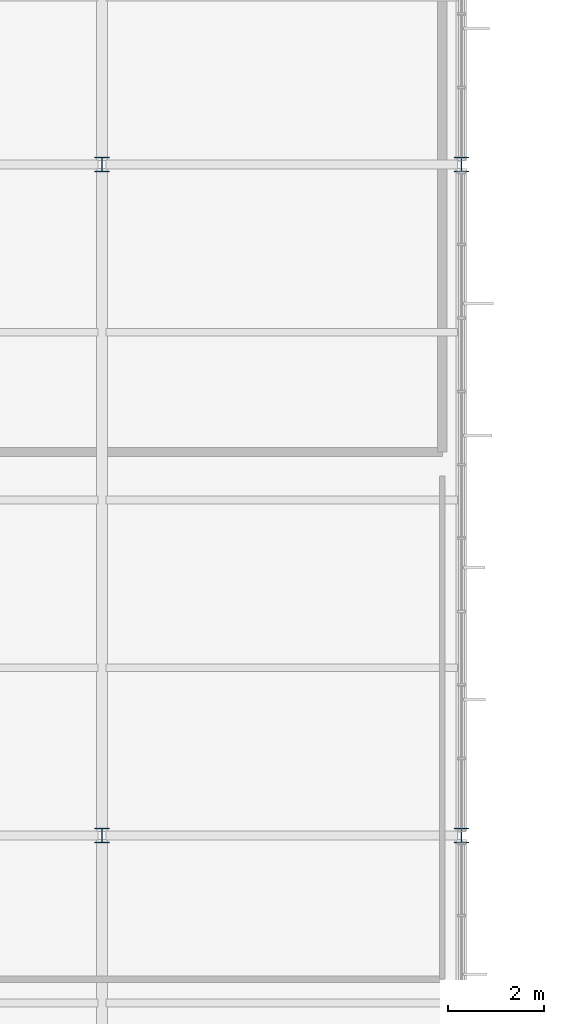
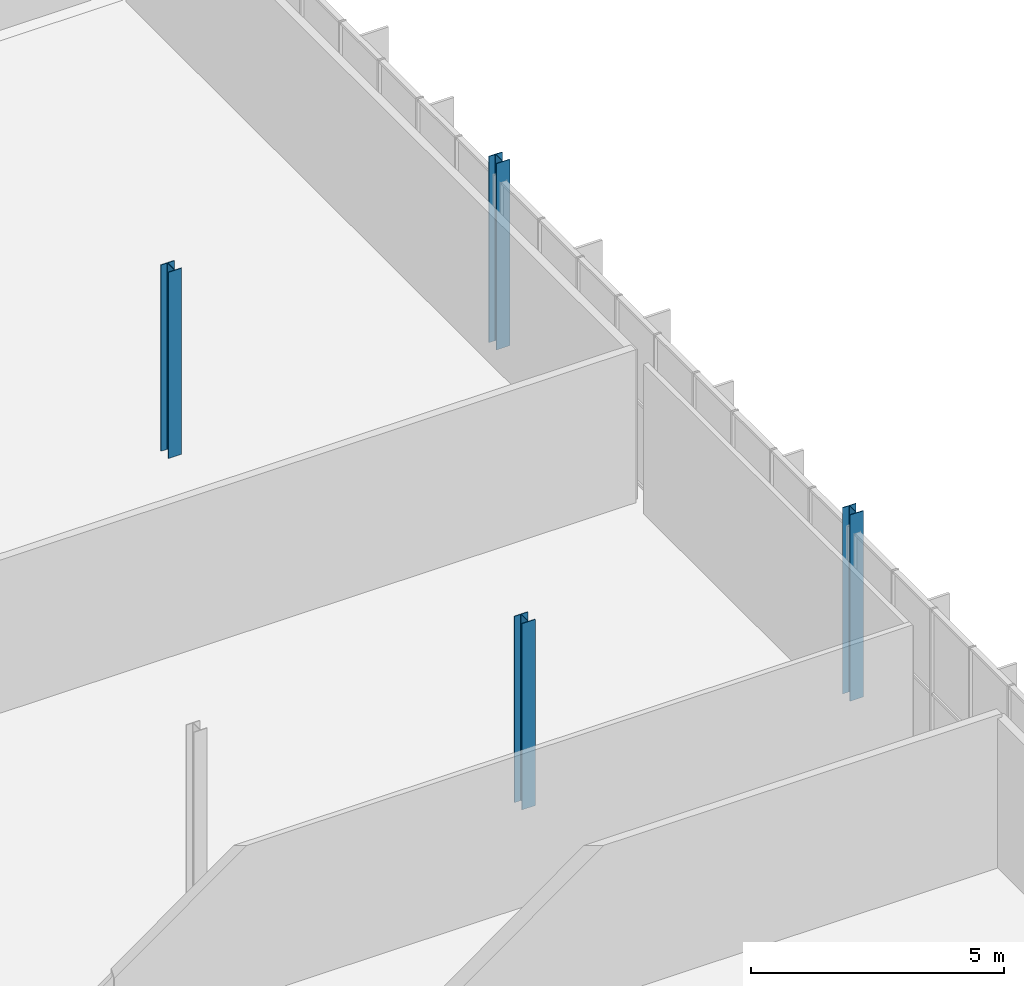
# One storey, part 4 of 324: 4 columns.
"""IFC4 building model written with IfcOpenShell, lengths in metres."""

from ifc_helpers import new_model, si_unit, direction, frame, origin, origin_2d, place, context, subcontext, project, spatial, i_section, extrude, material, material_profile, profile_set, type_object, element, save


model = new_model("IFC4")

# Units and contexts
model_context = context("Model", 3, precision=1e-05, world=origin(), true_north=direction((0.0, 1.0)))
body_context = subcontext(model_context, "Body", "Model", "MODEL_VIEW")
ifc_project = project(units=[si_unit("LENGTHUNIT", "METRE"), si_unit("AREAUNIT", "SQUARE_METRE"), si_unit("VOLUMEUNIT", "CUBIC_METRE"), si_unit("PLANEANGLEUNIT", "RADIAN"), si_unit("MASSUNIT", "GRAM", prefix="KILO")], contexts=[model_context])

# Site, building, storey
site_placement = place(None, origin())
site = spatial("IfcSite", under=ifc_project, at=site_placement, CompositionType="ELEMENT")
building_placement = place(site_placement, origin())
building = spatial("IfcBuilding", under=site, at=building_placement, Name="Solvenia Promenade Tram Depot", CompositionType="ELEMENT")
storey_placement = place(building_placement, frame((0.0, 0.0, 4.5)))
storey = spatial("IfcBuildingStorey", under=building, at=storey_placement, Name="L01", CompositionType="ELEMENT", Elevation=4.5)

# Columns
ifc_material = material(Name="Structural steel ASTM A992 Gr. 50", Category="steel")
ifc_material_profile = material_profile(ifc_material, i_section(OverallWidth=0.304931640625, OverallDepth=0.30810546875, WebThickness=0.010009765625, FlangeThickness=0.015380859375, FilletRadius=0.014892578125, at=origin_2d()), Name="W310x97", Category="steel")
ifc_profile_set = profile_set([ifc_material_profile], Name="Structural steel ASTM A992 Gr. 50")
column_type = type_object("IfcColumnType", Name="Col-W310x97", PredefinedType="COLUMN", material=ifc_profile_set)
for number, where, z_axis, x_axis, name in (
    (1, (37.5, 38.0, 0.0), (0.0, 0.0, 1.0), (1.0, 0.0, 0.0), "Steel Column COL-L01-098"),
    (2, (37.5, 52.0, 0.0), (0.0, 0.0, 1.0), (1.0, 0.0, 0.0), "Steel Column COL-L01-100"),
    (3, (45.0, 38.0, 0.0), (0.0, 0.0, 1.0), (1.0, 0.0, 0.0), "Steel Column COL-L01-116"),
    (4, (45.0, 52.0, 0.0), (0.0, 0.0, 1.0), (1.0, 0.0, 0.0), "Steel Column COL-L01-118"),
):
    element("IfcColumn", number, at=place(storey_placement, frame(where, z_axis=z_axis, x_axis=x_axis)), inside=storey, type_object=column_type, Name=name, PredefinedType="COLUMN", context=body_context, shape_type="SweptSolid", body=[
        extrude(i_section(OverallWidth=0.304931640625, OverallDepth=0.30810546875, WebThickness=0.010009765625, FlangeThickness=0.015380859375, FilletRadius=0.014892578125, at=origin_2d()), origin(), (0.0, 0.0, 1.0), 4.5),
    ])

save(model, "model.ifc")
